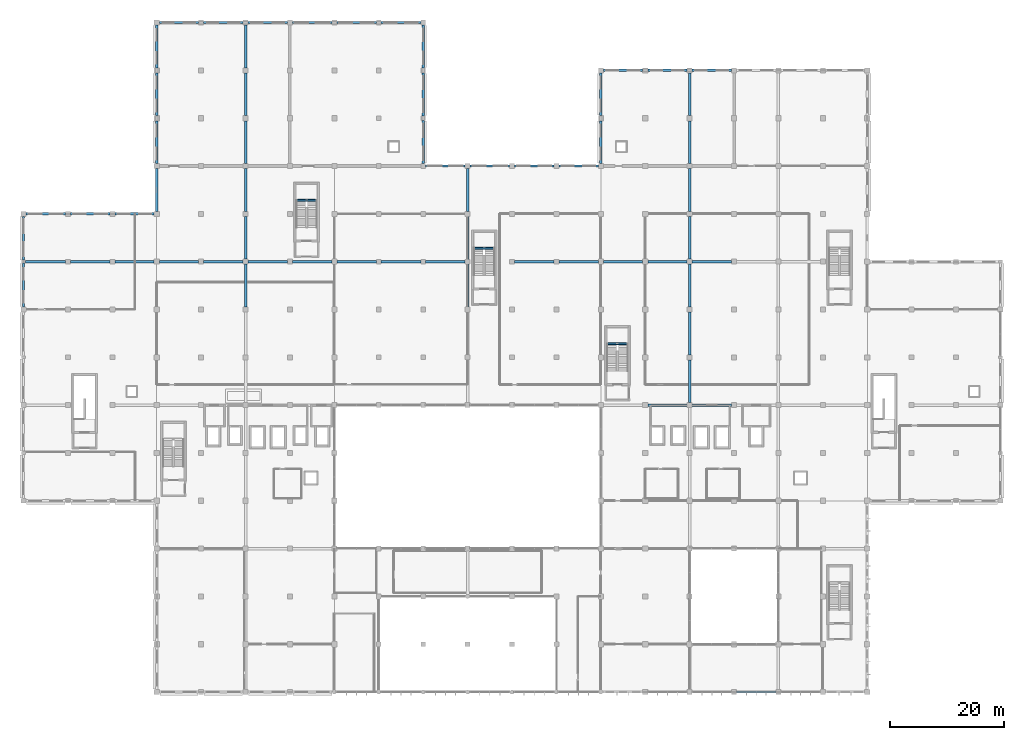
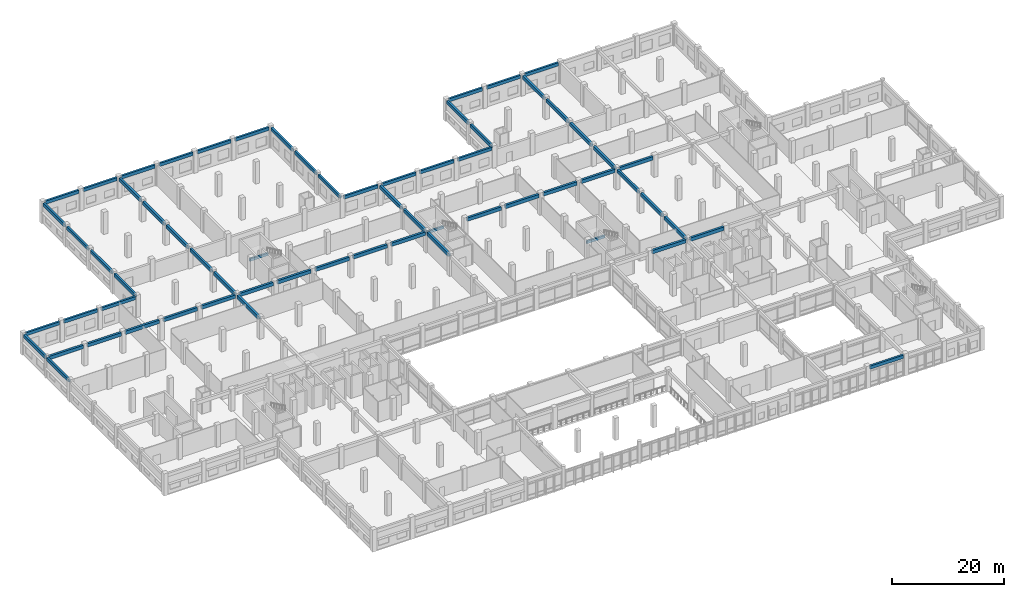
# One storey, part 34 of 79: 64 beams.
"""IFC4 building model written with IfcOpenShell, lengths in metres."""

from ifc_helpers import new_model, si_unit, direction, frame, origin, origin_2d, place, context, subcontext, project, spatial, rectangle, extrude, material, material_profile, profile_set, type_object, element, save


model = new_model("IFC4")

# Units and contexts
model_context = context("Model", 3, precision=1e-05, world=origin(), true_north=direction((0.0, 1.0)))
body_context = subcontext(model_context, "Body", "Model", "MODEL_VIEW")
ifc_project = project(units=[si_unit("LENGTHUNIT", "METRE"), si_unit("AREAUNIT", "SQUARE_METRE"), si_unit("VOLUMEUNIT", "CUBIC_METRE"), si_unit("PLANEANGLEUNIT", "RADIAN"), si_unit("MASSUNIT", "GRAM", prefix="KILO"), si_unit("THERMODYNAMICTEMPERATUREUNIT", "KELVIN"), si_unit("POWERUNIT", "WATT")], contexts=[model_context])

# Site, building, storey
site_placement = place(None, origin())
site = spatial("IfcSite", under=ifc_project, at=site_placement, CompositionType="ELEMENT")
building_placement = place(site_placement, origin())
building = spatial("IfcBuilding", under=site, at=building_placement, Name="Srebrne Nadtorze General Hospital", CompositionType="ELEMENT")
storey_placement = place(building_placement, frame((0.0, 0.0, 4.800048828125)))
storey = spatial("IfcBuildingStorey", under=building, at=storey_placement, Name="L01", CompositionType="ELEMENT", Elevation=4.800048828125)

# Beams
ifc_material_1 = material(Name="Concrete C40/50", Category="concrete")
ifc_material_profile_1 = material_profile(ifc_material_1, rectangle(XDim=0.39990234375, YDim=0.699951171875, at=origin_2d()), Name="RC-BM-400x700")
ifc_profile_set_1 = profile_set([ifc_material_profile_1], Name="Concrete C40/50")
beam_type_1 = type_object("IfcBeamType", Name="Edge beam RC 400x700", PredefinedType="BEAM", material=ifc_profile_set_1)
beam_1_placement = place(storey_placement, frame((125.25, 0.0, 4.099853515625), z_axis=(1.0, 0.0, 0.0), x_axis=(0.0, 1.0, 0.0)))
element("IfcBeam", 1, at=beam_1_placement, inside=storey, type_object=beam_type_1, Name="Beam BM-L01-X-0375", PredefinedType="BEAM", context=body_context, shape_type="SweptSolid", body=[
    extrude(rectangle(XDim=0.39990234375, YDim=0.699951171875, at=origin_2d()), origin(), (0.0, 0.0, 1.0), 6.89990234375),
])
for number, where, z_axis, x_axis, name in (
    (2, (0.425048828125, 84.0, 4.099853515625), (1.0, 0.0, 0.0), (0.0, 1.0, 0.0), "Beam BM-L01-X-0446"),
    (3, (8.22509765625, 84.0, 4.099853515625), (1.0, 0.0, 0.0), (0.0, 1.0, 0.0), "Beam BM-L01-X-0447"),
):
    element("IfcBeam", number, at=place(storey_placement, frame(where, z_axis=z_axis, x_axis=x_axis)), inside=storey, type_object=beam_type_1, Name=name, PredefinedType="BEAM", context=body_context, shape_type="SweptSolid", body=[
        extrude(rectangle(XDim=0.39990234375, YDim=0.699951171875, at=origin_2d()), origin(), (0.0, 0.0, 1.0), 6.949951171875),
    ])
beam_2_placement = place(storey_placement, frame((16.02490234375, 84.0, 4.099853515625), z_axis=(1.0, 0.0, 0.0), x_axis=(0.0, 1.0, 0.0)))
element("IfcBeam", 4, at=beam_2_placement, inside=storey, type_object=beam_type_1, Name="Beam BM-L01-X-0448", PredefinedType="BEAM", context=body_context, shape_type="SweptSolid", body=[
    extrude(rectangle(XDim=0.39990234375, YDim=0.699951171875, at=origin_2d()), origin(), (0.0, 0.0, 1.0), 6.925048828125),
])
for number, where, z_axis, x_axis, name in (
    (5, (70.625, 92.39990234375, 4.099853515625), (1.0, 0.0, 0.0), (0.0, 1.0, 0.0), "Beam BM-L01-X-0449"),
    (6, (78.425048828125, 92.39990234375, 4.099853515625), (1.0, 0.0, 0.0), (0.0, 1.0, 0.0), "Beam BM-L01-X-0450"),
    (7, (86.22509765625, 92.39990234375, 4.099853515625), (1.0, 0.0, 0.0), (0.0, 1.0, 0.0), "Beam BM-L01-X-0451"),
):
    element("IfcBeam", number, at=place(storey_placement, frame(where, z_axis=z_axis, x_axis=x_axis)), inside=storey, type_object=beam_type_1, Name=name, PredefinedType="BEAM", context=body_context, shape_type="SweptSolid", body=[
        extrude(rectangle(XDim=0.39990234375, YDim=0.699951171875, at=origin_2d()), origin(), (0.0, 0.0, 1.0), 6.949951171875),
    ])
beam_3_placement = place(storey_placement, frame((94.02490234375, 92.39990234375, 4.099853515625), z_axis=(1.0, 0.0, 0.0), x_axis=(0.0, 1.0, 0.0)))
element("IfcBeam", 8, at=beam_3_placement, inside=storey, type_object=beam_type_1, Name="Beam BM-L01-X-0452", PredefinedType="BEAM", context=body_context, shape_type="SweptSolid", body=[
    extrude(rectangle(XDim=0.39990234375, YDim=0.699951171875, at=origin_2d()), origin(), (0.0, 0.0, 1.0), 6.925048828125),
])
beam_4_placement = place(storey_placement, frame((101.85009765625, 109.199951171875, 4.099853515625), z_axis=(1.0, 0.0, 0.0), x_axis=(0.0, 1.0, 0.0)))
element("IfcBeam", 9, at=beam_4_placement, inside=storey, type_object=beam_type_1, Name="Beam BM-L01-X-0453", PredefinedType="BEAM", context=body_context, shape_type="SweptSolid", body=[
    extrude(rectangle(XDim=0.39990234375, YDim=0.699951171875, at=origin_2d()), origin(), (0.0, 0.0, 1.0), 6.89990234375),
])
for number, where, z_axis, x_axis, name in (
    (10, (109.64990234375, 109.199951171875, 4.099853515625), (1.0, 0.0, 0.0), (0.0, 1.0, 0.0), "Beam BM-L01-X-0454"),
    (11, (117.449951171875, 109.199951171875, 4.099853515625), (1.0, 0.0, 0.0), (0.0, 1.0, 0.0), "Beam BM-L01-X-0455"),
):
    element("IfcBeam", number, at=place(storey_placement, frame(where, z_axis=z_axis, x_axis=x_axis)), inside=storey, type_object=beam_type_1, Name=name, PredefinedType="BEAM", context=body_context, shape_type="SweptSolid", body=[
        extrude(rectangle(XDim=0.39990234375, YDim=0.699951171875, at=origin_2d()), origin(), (0.0, 0.0, 1.0), 6.900146484375),
    ])
beam_5_placement = place(storey_placement, frame((23.85009765625, 117.60009765625, 4.099853515625), z_axis=(1.0, 0.0, 0.0), x_axis=(0.0, 1.0, 0.0)))
element("IfcBeam", 12, at=beam_5_placement, inside=storey, type_object=beam_type_1, Name="Beam BM-L01-X-0459", PredefinedType="BEAM", context=body_context, shape_type="SweptSolid", body=[
    extrude(rectangle(XDim=0.39990234375, YDim=0.699951171875, at=origin_2d()), origin(), (0.0, 0.0, 1.0), 6.89990234375),
])
for number, where, z_axis, x_axis, name in (
    (13, (31.64990234375, 117.60009765625, 4.099853515625), (1.0, 0.0, 0.0), (0.0, 1.0, 0.0), "Beam BM-L01-X-0460"),
    (14, (39.449951171875, 117.60009765625, 4.099853515625), (1.0, 0.0, 0.0), (0.0, 1.0, 0.0), "Beam BM-L01-X-0461"),
):
    element("IfcBeam", number, at=place(storey_placement, frame(where, z_axis=z_axis, x_axis=x_axis)), inside=storey, type_object=beam_type_1, Name=name, PredefinedType="BEAM", context=body_context, shape_type="SweptSolid", body=[
        extrude(rectangle(XDim=0.39990234375, YDim=0.699951171875, at=origin_2d()), origin(), (0.0, 0.0, 1.0), 6.900146484375),
    ])
beam_6_placement = place(storey_placement, frame((47.25, 117.60009765625, 4.099853515625), z_axis=(1.0, 0.0, 0.0), x_axis=(0.0, 1.0, 0.0)))
element("IfcBeam", 15, at=beam_6_placement, inside=storey, type_object=beam_type_1, Name="Beam BM-L01-X-0462", PredefinedType="BEAM", context=body_context, shape_type="SweptSolid", body=[
    extrude(rectangle(XDim=0.39990234375, YDim=0.699951171875, at=origin_2d()), origin(), (0.0, 0.0, 1.0), 6.89990234375),
])
beam_7_placement = place(storey_placement, frame((55.050048828125, 117.60009765625, 4.099853515625), z_axis=(1.0, 0.0, 0.0), x_axis=(0.0, 1.0, 0.0)))
element("IfcBeam", 16, at=beam_7_placement, inside=storey, type_object=beam_type_1, Name="Beam BM-L01-X-0463", PredefinedType="BEAM", context=body_context, shape_type="SweptSolid", body=[
    extrude(rectangle(XDim=0.39990234375, YDim=0.699951171875, at=origin_2d()), origin(), (0.0, 0.0, 1.0), 6.925048828125),
])
beam_8_placement = place(storey_placement, frame((62.824951171875, 117.60009765625, 4.099853515625), z_axis=(1.0, 0.0, 0.0), x_axis=(0.0, 1.0, 0.0)))
element("IfcBeam", 17, at=beam_8_placement, inside=storey, type_object=beam_type_1, Name="Beam BM-L01-X-0464", PredefinedType="BEAM", context=body_context, shape_type="SweptSolid", body=[
    extrude(rectangle(XDim=0.39990234375, YDim=0.699951171875, at=origin_2d()), origin(), (0.0, 0.0, 1.0), 6.949951171875),
])
beam_9_placement = place(storey_placement, frame((0.0, 67.625, 4.099853515625), z_axis=(0.0, 1.0, 0.0), x_axis=(-1.0, 0.0, 0.0)))
element("IfcBeam", 18, at=beam_9_placement, inside=storey, type_object=beam_type_1, Name="Beam BM-L01-Y-0469", PredefinedType="BEAM", context=body_context, shape_type="SweptSolid", body=[
    extrude(rectangle(XDim=0.39990234375, YDim=0.699951171875, at=origin_2d()), origin(), (0.0, 0.0, 1.0), 7.72509765625),
])
beam_10_placement = place(storey_placement, frame((0.0, 75.85009765625, 4.099853515625), z_axis=(0.0, 1.0, 0.0), x_axis=(-1.0, 0.0, 0.0)))
element("IfcBeam", 19, at=beam_10_placement, inside=storey, type_object=beam_type_1, Name="Beam BM-L01-Y-0470", PredefinedType="BEAM", context=body_context, shape_type="SweptSolid", body=[
    extrude(rectangle(XDim=0.39990234375, YDim=0.699951171875, at=origin_2d()), origin(), (0.0, 0.0, 1.0), 7.724853515625),
])
for number, where, z_axis, x_axis, name in (
    (20, (23.39990234375, 84.449951171875, 4.099853515625), (0.0, 1.0, 0.0), (-1.0, 0.0, 0.0), "Beam BM-L01-Y-0475"),
    (21, (23.39990234375, 92.85009765625, 4.099853515625), (0.0, 1.0, 0.0), (-1.0, 0.0, 0.0), "Beam BM-L01-Y-0476"),
    (22, (23.39990234375, 101.25, 4.099853515625), (0.0, 1.0, 0.0), (-1.0, 0.0, 0.0), "Beam BM-L01-Y-0477"),
    (23, (23.39990234375, 109.64990234375, 4.099853515625), (0.0, 1.0, 0.0), (-1.0, 0.0, 0.0), "Beam BM-L01-Y-0478"),
):
    element("IfcBeam", number, at=place(storey_placement, frame(where, z_axis=z_axis, x_axis=x_axis)), inside=storey, type_object=beam_type_1, Name=name, PredefinedType="BEAM", context=body_context, shape_type="SweptSolid", body=[
        extrude(rectangle(XDim=0.39990234375, YDim=0.699951171875, at=origin_2d()), origin(), (0.0, 0.0, 1.0), 7.5),
    ])
beam_11_placement = place(storey_placement, frame((70.199951171875, 92.824951171875, 4.099853515625), z_axis=(0.0, 1.0, 0.0), x_axis=(-1.0, 0.0, 0.0)))
element("IfcBeam", 24, at=beam_11_placement, inside=storey, type_object=beam_type_1, Name="Beam BM-L01-Y-0498", PredefinedType="BEAM", context=body_context, shape_type="SweptSolid", body=[
    extrude(rectangle(XDim=0.39990234375, YDim=0.699951171875, at=origin_2d()), origin(), (0.0, 0.0, 1.0), 7.550048828125),
])
beam_12_placement = place(storey_placement, frame((70.199951171875, 101.22509765625, 4.099853515625), z_axis=(0.0, 1.0, 0.0), x_axis=(-1.0, 0.0, 0.0)))
element("IfcBeam", 25, at=beam_12_placement, inside=storey, type_object=beam_type_1, Name="Beam BM-L01-Y-0499", PredefinedType="BEAM", context=body_context, shape_type="SweptSolid", body=[
    extrude(rectangle(XDim=0.39990234375, YDim=0.699951171875, at=origin_2d()), origin(), (0.0, 0.0, 1.0), 7.5498046875),
])
beam_13_placement = place(storey_placement, frame((70.199951171875, 109.625, 4.099853515625), z_axis=(0.0, 1.0, 0.0), x_axis=(-1.0, 0.0, 0.0)))
element("IfcBeam", 26, at=beam_13_placement, inside=storey, type_object=beam_type_1, Name="Beam BM-L01-Y-0500", PredefinedType="BEAM", context=body_context, shape_type="SweptSolid", body=[
    extrude(rectangle(XDim=0.39990234375, YDim=0.699951171875, at=origin_2d()), origin(), (0.0, 0.0, 1.0), 7.550048828125),
])
for number, where, z_axis, x_axis, name in (
    (27, (101.39990234375, 92.85009765625, 4.099853515625), (0.0, 1.0, 0.0), (-1.0, 0.0, 0.0), "Beam BM-L01-Y-0512"),
    (28, (101.39990234375, 101.25, 4.099853515625), (0.0, 1.0, 0.0), (-1.0, 0.0, 0.0), "Beam BM-L01-Y-0513"),
):
    element("IfcBeam", number, at=place(storey_placement, frame(where, z_axis=z_axis, x_axis=x_axis)), inside=storey, type_object=beam_type_1, Name=name, PredefinedType="BEAM", context=body_context, shape_type="SweptSolid", body=[
        extrude(rectangle(XDim=0.39990234375, YDim=0.699951171875, at=origin_2d()), origin(), (0.0, 0.0, 1.0), 7.5),
    ])
ifc_material_2 = material(Name="Concrete C40/50", Category="concrete")
ifc_material_profile_2 = material_profile(ifc_material_2, rectangle(XDim=0.449951171875, YDim=0.75, at=origin_2d()), Name="RC-BM-450x750")
ifc_profile_set_2 = profile_set([ifc_material_profile_2], Name="Concrete C40/50")
beam_type_2 = type_object("IfcBeamType", Name="Primary beam RC 450x750", PredefinedType="BEAM", material=ifc_profile_set_2)
for number, where, z_axis, x_axis, name in (
    (29, (109.64990234375, 50.39990234375, 4.074951171875), (1.0, 0.0, 0.0), (0.0, 1.0, 0.0), "Beam BM-L01-X-0419"),
    (30, (117.449951171875, 50.39990234375, 4.074951171875), (1.0, 0.0, 0.0), (0.0, 1.0, 0.0), "Beam BM-L01-X-0420"),
):
    element("IfcBeam", number, at=place(storey_placement, frame(where, z_axis=z_axis, x_axis=x_axis)), inside=storey, type_object=beam_type_2, Name=name, PredefinedType="BEAM", context=body_context, shape_type="SweptSolid", body=[
        extrude(rectangle(XDim=0.449951171875, YDim=0.75, at=origin_2d()), origin(), (0.0, 0.0, 1.0), 6.900146484375),
    ])
beam_14_placement = place(storey_placement, frame((0.375, 75.60009765625, 4.074951171875), z_axis=(1.0, 0.0, 0.0), x_axis=(0.0, 1.0, 0.0)))
element("IfcBeam", 31, at=beam_14_placement, inside=storey, type_object=beam_type_2, Name="Beam BM-L01-X-0426", PredefinedType="BEAM", context=body_context, shape_type="SweptSolid", body=[
    extrude(rectangle(XDim=0.449951171875, YDim=0.75, at=origin_2d()), origin(), (0.0, 0.0, 1.0), 7.0),
])
beam_15_placement = place(storey_placement, frame((8.22509765625, 75.60009765625, 4.074951171875), z_axis=(1.0, 0.0, 0.0), x_axis=(0.0, 1.0, 0.0)))
element("IfcBeam", 32, at=beam_15_placement, inside=storey, type_object=beam_type_2, Name="Beam BM-L01-X-0427", PredefinedType="BEAM", context=body_context, shape_type="SweptSolid", body=[
    extrude(rectangle(XDim=0.449951171875, YDim=0.75, at=origin_2d()), origin(), (0.0, 0.0, 1.0), 6.949951171875),
])
beam_16_placement = place(storey_placement, frame((16.02490234375, 75.60009765625, 4.074951171875), z_axis=(1.0, 0.0, 0.0), x_axis=(0.0, 1.0, 0.0)))
element("IfcBeam", 33, at=beam_16_placement, inside=storey, type_object=beam_type_2, Name="Beam BM-L01-X-0428", PredefinedType="BEAM", context=body_context, shape_type="SweptSolid", body=[
    extrude(rectangle(XDim=0.449951171875, YDim=0.75, at=origin_2d()), origin(), (0.0, 0.0, 1.0), 6.925048828125),
])
beam_17_placement = place(storey_placement, frame((23.85009765625, 75.60009765625, 4.074951171875), z_axis=(1.0, 0.0, 0.0), x_axis=(0.0, 1.0, 0.0)))
element("IfcBeam", 34, at=beam_17_placement, inside=storey, type_object=beam_type_2, Name="Beam BM-L01-X-0429", PredefinedType="BEAM", context=body_context, shape_type="SweptSolid", body=[
    extrude(rectangle(XDim=0.449951171875, YDim=0.75, at=origin_2d()), origin(), (0.0, 0.0, 1.0), 6.89990234375),
])
for number, where, z_axis, x_axis, name in (
    (35, (31.64990234375, 75.60009765625, 4.074951171875), (1.0, 0.0, 0.0), (0.0, 1.0, 0.0), "Beam BM-L01-X-0430"),
    (36, (39.449951171875, 75.60009765625, 4.074951171875), (1.0, 0.0, 0.0), (0.0, 1.0, 0.0), "Beam BM-L01-X-0431"),
):
    element("IfcBeam", number, at=place(storey_placement, frame(where, z_axis=z_axis, x_axis=x_axis)), inside=storey, type_object=beam_type_2, Name=name, PredefinedType="BEAM", context=body_context, shape_type="SweptSolid", body=[
        extrude(rectangle(XDim=0.449951171875, YDim=0.75, at=origin_2d()), origin(), (0.0, 0.0, 1.0), 6.900146484375),
    ])
beam_18_placement = place(storey_placement, frame((47.25, 75.60009765625, 4.074951171875), z_axis=(1.0, 0.0, 0.0), x_axis=(0.0, 1.0, 0.0)))
element("IfcBeam", 37, at=beam_18_placement, inside=storey, type_object=beam_type_2, Name="Beam BM-L01-X-0432", PredefinedType="BEAM", context=body_context, shape_type="SweptSolid", body=[
    extrude(rectangle(XDim=0.449951171875, YDim=0.75, at=origin_2d()), origin(), (0.0, 0.0, 1.0), 6.89990234375),
])
beam_19_placement = place(storey_placement, frame((55.050048828125, 75.60009765625, 4.074951171875), z_axis=(1.0, 0.0, 0.0), x_axis=(0.0, 1.0, 0.0)))
element("IfcBeam", 38, at=beam_19_placement, inside=storey, type_object=beam_type_2, Name="Beam BM-L01-X-0433", PredefinedType="BEAM", context=body_context, shape_type="SweptSolid", body=[
    extrude(rectangle(XDim=0.449951171875, YDim=0.75, at=origin_2d()), origin(), (0.0, 0.0, 1.0), 6.925048828125),
])
for number, where, z_axis, x_axis, name in (
    (39, (62.824951171875, 75.60009765625, 4.074951171875), (1.0, 0.0, 0.0), (0.0, 1.0, 0.0), "Beam BM-L01-X-0434"),
    (40, (70.625, 75.60009765625, 4.074951171875), (1.0, 0.0, 0.0), (0.0, 1.0, 0.0), "Beam BM-L01-X-0435"),
    (41, (86.22509765625, 75.60009765625, 4.074951171875), (1.0, 0.0, 0.0), (0.0, 1.0, 0.0), "Beam BM-L01-X-0436"),
):
    element("IfcBeam", number, at=place(storey_placement, frame(where, z_axis=z_axis, x_axis=x_axis)), inside=storey, type_object=beam_type_2, Name=name, PredefinedType="BEAM", context=body_context, shape_type="SweptSolid", body=[
        extrude(rectangle(XDim=0.449951171875, YDim=0.75, at=origin_2d()), origin(), (0.0, 0.0, 1.0), 6.949951171875),
    ])
beam_20_placement = place(storey_placement, frame((94.02490234375, 75.60009765625, 4.074951171875), z_axis=(1.0, 0.0, 0.0), x_axis=(0.0, 1.0, 0.0)))
element("IfcBeam", 42, at=beam_20_placement, inside=storey, type_object=beam_type_2, Name="Beam BM-L01-X-0437", PredefinedType="BEAM", context=body_context, shape_type="SweptSolid", body=[
    extrude(rectangle(XDim=0.449951171875, YDim=0.75, at=origin_2d()), origin(), (0.0, 0.0, 1.0), 6.925048828125),
])
beam_21_placement = place(storey_placement, frame((101.85009765625, 75.60009765625, 4.074951171875), z_axis=(1.0, 0.0, 0.0), x_axis=(0.0, 1.0, 0.0)))
element("IfcBeam", 43, at=beam_21_placement, inside=storey, type_object=beam_type_2, Name="Beam BM-L01-X-0438", PredefinedType="BEAM", context=body_context, shape_type="SweptSolid", body=[
    extrude(rectangle(XDim=0.449951171875, YDim=0.75, at=origin_2d()), origin(), (0.0, 0.0, 1.0), 6.89990234375),
])
for number, where, z_axis, x_axis, name in (
    (44, (109.64990234375, 75.60009765625, 4.074951171875), (1.0, 0.0, 0.0), (0.0, 1.0, 0.0), "Beam BM-L01-X-0439"),
    (45, (117.449951171875, 75.60009765625, 4.074951171875), (1.0, 0.0, 0.0), (0.0, 1.0, 0.0), "Beam BM-L01-X-0440"),
):
    element("IfcBeam", number, at=place(storey_placement, frame(where, z_axis=z_axis, x_axis=x_axis)), inside=storey, type_object=beam_type_2, Name=name, PredefinedType="BEAM", context=body_context, shape_type="SweptSolid", body=[
        extrude(rectangle(XDim=0.449951171875, YDim=0.75, at=origin_2d()), origin(), (0.0, 0.0, 1.0), 6.900146484375),
    ])
for number, where, z_axis, x_axis, name in (
    (46, (39.0, 67.64990234375, 4.074951171875), (0.0, 1.0, 0.0), (-1.0, 0.0, 0.0), "Beam BM-L01-Y-0487"),
    (47, (39.0, 76.050048828125, 4.074951171875), (0.0, 1.0, 0.0), (-1.0, 0.0, 0.0), "Beam BM-L01-Y-0488"),
    (48, (39.0, 84.449951171875, 4.074951171875), (0.0, 1.0, 0.0), (-1.0, 0.0, 0.0), "Beam BM-L01-Y-0489"),
    (49, (39.0, 92.85009765625, 4.074951171875), (0.0, 1.0, 0.0), (-1.0, 0.0, 0.0), "Beam BM-L01-Y-0490"),
    (50, (39.0, 101.25, 4.074951171875), (0.0, 1.0, 0.0), (-1.0, 0.0, 0.0), "Beam BM-L01-Y-0491"),
    (51, (39.0, 109.64990234375, 4.074951171875), (0.0, 1.0, 0.0), (-1.0, 0.0, 0.0), "Beam BM-L01-Y-0492"),
):
    element("IfcBeam", number, at=place(storey_placement, frame(where, z_axis=z_axis, x_axis=x_axis)), inside=storey, type_object=beam_type_2, Name=name, PredefinedType="BEAM", context=body_context, shape_type="SweptSolid", body=[
        extrude(rectangle(XDim=0.449951171875, YDim=0.75, at=origin_2d()), origin(), (0.0, 0.0, 1.0), 7.5),
    ])
for number, where, z_axis, x_axis, name in (
    (52, (78.0, 67.625, 4.074951171875), (0.0, 1.0, 0.0), (-1.0, 0.0, 0.0), "Beam BM-L01-Y-0504"),
    (53, (78.0, 76.02490234375, 4.074951171875), (0.0, 1.0, 0.0), (-1.0, 0.0, 0.0), "Beam BM-L01-Y-0505"),
    (54, (78.0, 84.425048828125, 4.074951171875), (0.0, 1.0, 0.0), (-1.0, 0.0, 0.0), "Beam BM-L01-Y-0506"),
):
    element("IfcBeam", number, at=place(storey_placement, frame(where, z_axis=z_axis, x_axis=x_axis)), inside=storey, type_object=beam_type_2, Name=name, PredefinedType="BEAM", context=body_context, shape_type="SweptSolid", body=[
        extrude(rectangle(XDim=0.449951171875, YDim=0.75, at=origin_2d()), origin(), (0.0, 0.0, 1.0), 7.550048828125),
    ])
for number, where, z_axis, x_axis, name in (
    (55, (117.0, 50.85009765625, 4.074951171875), (0.0, 1.0, 0.0), (-1.0, 0.0, 0.0), "Beam BM-L01-Y-0520"),
    (56, (117.0, 59.25, 4.074951171875), (0.0, 1.0, 0.0), (-1.0, 0.0, 0.0), "Beam BM-L01-Y-0521"),
    (57, (117.0, 67.64990234375, 4.074951171875), (0.0, 1.0, 0.0), (-1.0, 0.0, 0.0), "Beam BM-L01-Y-0522"),
    (58, (117.0, 76.050048828125, 4.074951171875), (0.0, 1.0, 0.0), (-1.0, 0.0, 0.0), "Beam BM-L01-Y-0523"),
    (59, (117.0, 84.449951171875, 4.074951171875), (0.0, 1.0, 0.0), (-1.0, 0.0, 0.0), "Beam BM-L01-Y-0524"),
    (60, (117.0, 92.85009765625, 4.074951171875), (0.0, 1.0, 0.0), (-1.0, 0.0, 0.0), "Beam BM-L01-Y-0525"),
    (61, (117.0, 101.25, 4.074951171875), (0.0, 1.0, 0.0), (-1.0, 0.0, 0.0), "Beam BM-L01-Y-0526"),
):
    element("IfcBeam", number, at=place(storey_placement, frame(where, z_axis=z_axis, x_axis=x_axis)), inside=storey, type_object=beam_type_2, Name=name, PredefinedType="BEAM", context=body_context, shape_type="SweptSolid", body=[
        extrude(rectangle(XDim=0.449951171875, YDim=0.75, at=origin_2d()), origin(), (0.0, 0.0, 1.0), 7.5),
    ])
ifc_material_3 = material(Name="Concrete C35/45", Category="concrete")
ifc_material_profile_3 = material_profile(ifc_material_3, rectangle(XDim=0.35009765625, YDim=0.550048828125, at=origin_2d()), Name="RC-BM-350x550")
ifc_profile_set_3 = profile_set([ifc_material_profile_3], Name="Concrete C35/45")
beam_type_3 = type_object("IfcBeamType", Name="Spandrel lintel beam RC 350x550", PredefinedType="LINTEL", material=ifc_profile_set_3)
for number, where, z_axis, x_axis, name in (
    (62, (47.85009765625, 86.39990234375, 2.125), (1.0, 0.0, 0.0), (0.0, 1.0, 0.0), "Stair landing header beam ST-02 L01"),
    (63, (102.449951171875, 61.199951171875, 2.125), (1.0, 0.0, 0.0), (0.0, 1.0, 0.0), "Stair landing header beam ST-03 L01"),
    (64, (79.050048828125, 78.0, 2.125), (1.0, 0.0, 0.0), (0.0, 1.0, 0.0), "Stair landing header beam ST-07 L01"),
):
    element("IfcBeam", number, at=place(storey_placement, frame(where, z_axis=z_axis, x_axis=x_axis)), inside=storey, type_object=beam_type_3, Name=name, PredefinedType="LINTEL", context=body_context, shape_type="SweptSolid", body=[
        extrude(rectangle(XDim=0.35009765625, YDim=0.550048828125, at=origin_2d()), origin(), (0.0, 0.0, 1.0), 3.75),
    ])

save(model, "model.ifc")
